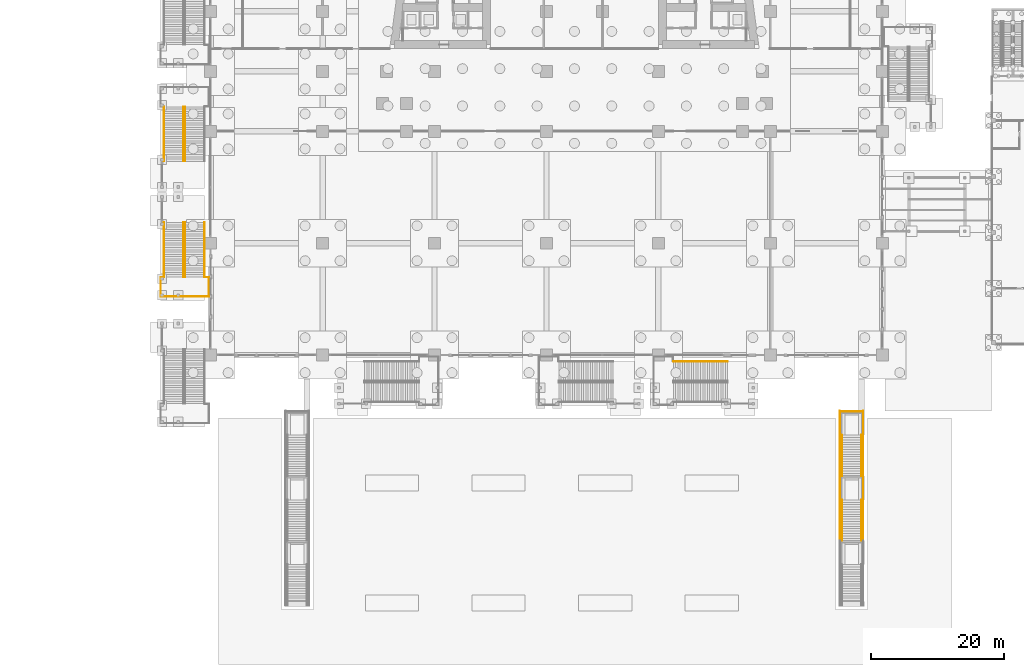
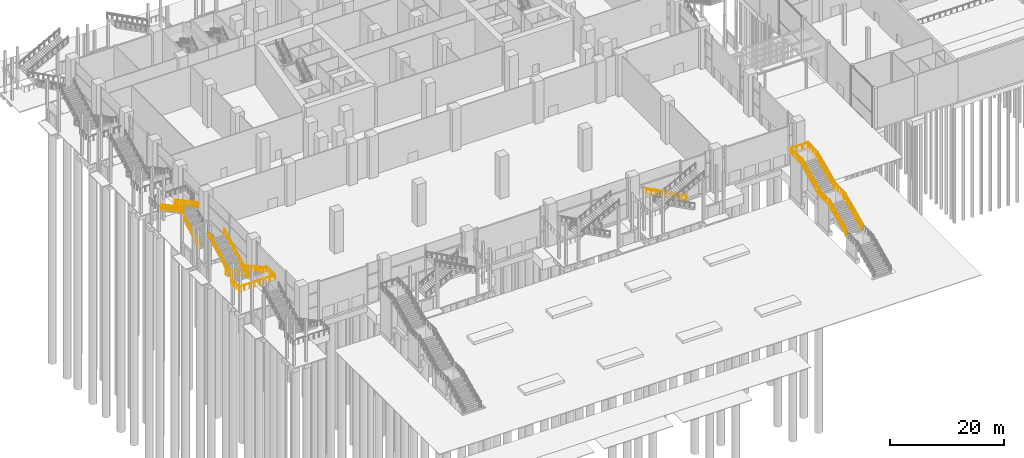
# One storey, part 58 of 72: 26 railings.
"""IFC4 building model written with IfcOpenShell, lengths in metres."""

from ifc_helpers import new_model, si_unit, direction, frame, origin, origin_2d, place, context, subcontext, project, spatial, circle, extrude, material, type_object, element, save


model = new_model("IFC4")

# Units and contexts
model_context = context("Model", 3, precision=1e-05, world=origin(), true_north=direction((0.0, 1.0)))
body_context = subcontext(model_context, "Body", "Model", "MODEL_VIEW")
ifc_project = project(units=[si_unit("LENGTHUNIT", "METRE"), si_unit("AREAUNIT", "SQUARE_METRE"), si_unit("VOLUMEUNIT", "CUBIC_METRE"), si_unit("PLANEANGLEUNIT", "RADIAN"), si_unit("MASSUNIT", "GRAM", prefix="KILO")], contexts=[model_context])

# Site, building, storey
site_placement = place(None, origin())
site = spatial("IfcSite", under=ifc_project, at=site_placement, CompositionType="ELEMENT")
building_placement = place(site_placement, origin())
building = spatial("IfcBuilding", under=site, at=building_placement, Name="Candeia Pilgrim Tower and Theatre", CompositionType="ELEMENT")
storey_placement = place(building_placement, origin())
storey = spatial("IfcBuildingStorey", under=building, at=storey_placement, Name="L00", CompositionType="ELEMENT", Elevation=0.0)

# Railings
ifc_material_1 = material(Name="Steel S355", Category="steel")
railing_type_1 = type_object("IfcRailingType", Name="Guard 1100 steel balustrade", PredefinedType="GUARDRAIL", material=ifc_material_1)
for number, where, name in (
    (1, (153.25, 36.56005859375, 3.166748046875), "Garden stair E guard 5"),
    (2, (156.75, 36.56005859375, 3.166748046875), "Garden stair E guard 6"),
):
    element("IfcRailing", number, at=place(storey_placement, frame(where)), inside=storey, type_object=railing_type_1, Name=name, PredefinedType="GUARDRAIL", context=body_context, shape_type="SweptSolid", body=[
        extrude(circle(Radius=0.02392578125, at=origin_2d()), frame((0.0, 0.0, 1.076171875), z_axis=(0.0, 0.907468185063, 0.420120807742), x_axis=(-1.0, 0.0, 0.0)), (0.0, 0.0, 1.0), 6.743896484375),
        extrude(circle(Radius=0.02099609375, at=origin_2d()), origin(), (0.0, 0.0, 1.0), 1.052001953125),
        extrude(circle(Radius=0.02099609375, at=origin_2d()), frame((0.0, 1.02001953125, 0.47216796875)), (0.0, 0.0, 1.0), 1.052001953125),
        extrude(circle(Radius=0.02099609375, at=origin_2d()), frame((0.0, 2.0400390625, 0.9443359375)), (0.0, 0.0, 1.0), 1.052001953125),
        extrude(circle(Radius=0.02099609375, at=origin_2d()), frame((0.0, 3.06005859375, 1.41650390625)), (0.0, 0.0, 1.0), 1.052001953125),
        extrude(circle(Radius=0.02099609375, at=origin_2d()), frame((0.0, 4.079833984375, 1.888916015625)), (0.0, 0.0, 1.0), 1.052001953125),
        extrude(circle(Radius=0.02099609375, at=origin_2d()), frame((0.0, 5.099853515625, 2.361083984375)), (0.0, 0.0, 1.0), 1.052001953125),
        extrude(circle(Radius=0.02099609375, at=origin_2d()), frame((0.0, 6.119873046875, 2.833251953125)), (0.0, 0.0, 1.0), 1.052001953125),
    ])
for number, where, name in (
    (3, (153.25, 42.679931640625, 6.0), "Garden stair E guard 7"),
    (4, (156.75, 42.679931640625, 6.0), "Garden stair E guard 8"),
):
    element("IfcRailing", number, at=place(storey_placement, frame(where)), inside=storey, type_object=railing_type_1, Name=name, PredefinedType="GUARDRAIL", context=body_context, shape_type="SweptSolid", body=[
        extrude(circle(Radius=0.02392578125, at=origin_2d()), frame((0.0, 0.0, 1.076171875), z_axis=(0.0, 1.0, 0.0), x_axis=(-1.0, 0.0, 0.0)), (0.0, 0.0, 1.0), 3.60009765625),
        extrude(circle(Radius=0.02099609375, at=origin_2d()), origin(), (0.0, 0.0, 1.0), 1.052001953125),
        extrude(circle(Radius=0.02099609375, at=origin_2d()), frame((0.0, 0.89990234375, 0.0)), (0.0, 0.0, 1.0), 1.052001953125),
        extrude(circle(Radius=0.02099609375, at=origin_2d()), frame((0.0, 1.800048828125, 0.0)), (0.0, 0.0, 1.0), 1.052001953125),
        extrude(circle(Radius=0.02099609375, at=origin_2d()), frame((0.0, 2.7001953125, 0.0)), (0.0, 0.0, 1.0), 1.052001953125),
        extrude(circle(Radius=0.02099609375, at=origin_2d()), frame((0.0, 3.60009765625, 0.0)), (0.0, 0.0, 1.0), 1.052001953125),
    ])
for number, where, name in (
    (5, (153.25, 46.280029296875, 6.166748046875), "Garden stair E guard 9"),
    (6, (156.75, 46.280029296875, 6.166748046875), "Garden stair E guard 10"),
):
    element("IfcRailing", number, at=place(storey_placement, frame(where)), inside=storey, type_object=railing_type_1, Name=name, PredefinedType="GUARDRAIL", context=body_context, shape_type="SweptSolid", body=[
        extrude(circle(Radius=0.02392578125, at=origin_2d()), frame((0.0, 0.0, 1.076171875), z_axis=(0.0, 0.907468185063, 0.420120807742), x_axis=(-1.0, 0.0, 0.0)), (0.0, 0.0, 1.0), 6.743896484375),
        extrude(circle(Radius=0.02099609375, at=origin_2d()), origin(), (0.0, 0.0, 1.0), 1.052001953125),
        extrude(circle(Radius=0.02099609375, at=origin_2d()), frame((0.0, 1.02001953125, 0.47216796875)), (0.0, 0.0, 1.0), 1.052001953125),
        extrude(circle(Radius=0.02099609375, at=origin_2d()), frame((0.0, 2.0400390625, 0.9443359375)), (0.0, 0.0, 1.0), 1.052001953125),
        extrude(circle(Radius=0.02099609375, at=origin_2d()), frame((0.0, 3.06005859375, 1.41650390625)), (0.0, 0.0, 1.0), 1.052001953125),
        extrude(circle(Radius=0.02099609375, at=origin_2d()), frame((0.0, 4.079833984375, 1.888916015625)), (0.0, 0.0, 1.0), 1.052001953125),
        extrude(circle(Radius=0.02099609375, at=origin_2d()), frame((0.0, 5.099853515625, 2.361083984375)), (0.0, 0.0, 1.0), 1.052001953125),
        extrude(circle(Radius=0.02099609375, at=origin_2d()), frame((0.0, 6.119873046875, 2.833251953125)), (0.0, 0.0, 1.0), 1.052001953125),
    ])
for number, where, name in (
    (7, (153.25, 52.39990234375, 9.0), "Garden stair E guard 11"),
    (8, (156.75, 52.39990234375, 9.0), "Garden stair E guard 12"),
):
    element("IfcRailing", number, at=place(storey_placement, frame(where)), inside=storey, type_object=railing_type_1, Name=name, PredefinedType="GUARDRAIL", context=body_context, shape_type="SweptSolid", body=[
        extrude(circle(Radius=0.02392578125, at=origin_2d()), frame((0.0, 0.0, 1.076171875), z_axis=(0.0, 1.0, 0.0), x_axis=(-1.0, 0.0, 0.0)), (0.0, 0.0, 1.0), 3.60009765625),
        extrude(circle(Radius=0.02099609375, at=origin_2d()), origin(), (0.0, 0.0, 1.0), 1.052001953125),
        extrude(circle(Radius=0.02099609375, at=origin_2d()), frame((0.0, 0.89990234375, 0.0)), (0.0, 0.0, 1.0), 1.052001953125),
        extrude(circle(Radius=0.02099609375, at=origin_2d()), frame((0.0, 1.800048828125, 0.0)), (0.0, 0.0, 1.0), 1.052001953125),
        extrude(circle(Radius=0.02099609375, at=origin_2d()), frame((0.0, 2.7001953125, 0.0)), (0.0, 0.0, 1.0), 1.052001953125),
        extrude(circle(Radius=0.02099609375, at=origin_2d()), frame((0.0, 3.60009765625, 0.0)), (0.0, 0.0, 1.0), 1.052001953125),
    ])
railing_1_placement = place(storey_placement, frame((153.25, 55.949951171875, 9.0)))
element("IfcRailing", 9, at=railing_1_placement, inside=storey, type_object=railing_type_1, Name="Garden stair E guard 13", PredefinedType="GUARDRAIL", context=body_context, shape_type="SweptSolid", body=[
    extrude(circle(Radius=0.02392578125, at=origin_2d()), frame((0.0, 0.0, 1.076171875), z_axis=(1.0, 0.0, 0.0), x_axis=(0.0, 1.0, 0.0)), (0.0, 0.0, 1.0), 3.5),
    extrude(circle(Radius=0.02099609375, at=origin_2d()), origin(), (0.0, 0.0, 1.0), 1.052001953125),
    extrude(circle(Radius=0.02099609375, at=origin_2d()), frame((1.166748046875, 0.0, 0.0)), (0.0, 0.0, 1.0), 1.052001953125),
    extrude(circle(Radius=0.02099609375, at=origin_2d()), frame((2.333251953125, 0.0, 0.0)), (0.0, 0.0, 1.0), 1.052001953125),
    extrude(circle(Radius=0.02099609375, at=origin_2d()), frame((3.5, 0.0, 0.0)), (0.0, 0.0, 1.0), 1.052001953125),
])
railing_type_2 = type_object("IfcRailingType", Name="Handrail 900 steel", PredefinedType="HANDRAIL", material=ifc_material_1)
for number, where, name in (
    (10, (153.550048828125, 36.56005859375, 3.166748046875), "Garden stair E handrail 3"),
    (11, (156.449951171875, 36.56005859375, 3.166748046875), "Garden stair E handrail 4"),
    (12, (153.550048828125, 46.280029296875, 6.166748046875), "Garden stair E handrail 5"),
    (13, (156.449951171875, 46.280029296875, 6.166748046875), "Garden stair E handrail 6"),
):
    element("IfcRailing", number, at=place(storey_placement, frame(where)), inside=storey, type_object=railing_type_2, Name=name, PredefinedType="HANDRAIL", context=body_context, shape_type="SweptSolid", body=[
        extrude(circle(Radius=0.02392578125, at=origin_2d()), frame((0.0, 0.0, 0.8759765625), z_axis=(0.0, 0.907468185063, 0.420120807742), x_axis=(-1.0, 0.0, 0.0)), (0.0, 0.0, 1.0), 6.743896484375),
        extrude(circle(Radius=0.02099609375, at=origin_2d()), origin(), (0.0, 0.0, 1.0), 0.851806640625),
        extrude(circle(Radius=0.02099609375, at=origin_2d()), frame((0.0, 1.02001953125, 0.47216796875)), (0.0, 0.0, 1.0), 0.851806640625),
        extrude(circle(Radius=0.02099609375, at=origin_2d()), frame((0.0, 2.0400390625, 0.9443359375)), (0.0, 0.0, 1.0), 0.851806640625),
        extrude(circle(Radius=0.02099609375, at=origin_2d()), frame((0.0, 3.06005859375, 1.41650390625)), (0.0, 0.0, 1.0), 0.851806640625),
        extrude(circle(Radius=0.02099609375, at=origin_2d()), frame((0.0, 4.079833984375, 1.888916015625)), (0.0, 0.0, 1.0), 0.851806640625),
        extrude(circle(Radius=0.02099609375, at=origin_2d()), frame((0.0, 5.099853515625, 2.361083984375)), (0.0, 0.0, 1.0), 0.851806640625),
        extrude(circle(Radius=0.02099609375, at=origin_2d()), frame((0.0, 6.119873046875, 2.833251953125)), (0.0, 0.0, 1.0), 0.851806640625),
    ])
ifc_material_2 = material(Name="Stainless steel balustrade", Category="steel")
railing_type_3 = type_object("IfcRailingType", Name="RL-GUARD-1100", PredefinedType="GUARDRAIL", material=ifc_material_2)
railing_2_placement = place(storey_placement, frame((54.949951171875, 84.300048828125, 0.179931640625)))
element("IfcRailing", 14, at=railing_2_placement, inside=storey, type_object=railing_type_3, Name="L00 ES11 stair guard 1", PredefinedType="GUARDRAIL", context=body_context, shape_type="SweptSolid", body=[
    extrude(circle(Radius=0.02392578125, at=origin_2d()), frame((0.0, 0.0, 1.076171875), z_axis=(0.0, -0.883788559524, 0.467886505528), x_axis=(1.0, 0.0, 0.0)), (0.0, 0.0, 1.0), 9.233154296875),
    extrude(circle(Radius=0.02099609375, at=origin_2d()), origin(), (0.0, 0.0, 1.0), 1.052001953125),
    extrude(circle(Radius=0.02099609375, at=origin_2d()), frame((0.0, -1.02001953125, 0.5400390625)), (0.0, 0.0, 1.0), 1.052001953125),
    extrude(circle(Radius=0.02099609375, at=origin_2d()), frame((0.0, -2.0400390625, 1.080078125)), (0.0, 0.0, 1.0), 1.052001953125),
    extrude(circle(Radius=0.02099609375, at=origin_2d()), frame((0.0, -3.06005859375, 1.6201171875)), (0.0, 0.0, 1.0), 1.052001953125),
    extrude(circle(Radius=0.02099609375, at=origin_2d()), frame((0.0, -4.080078125, 2.16015625)), (0.0, 0.0, 1.0), 1.052001953125),
    extrude(circle(Radius=0.02099609375, at=origin_2d()), frame((0.0, -5.10009765625, 2.699951171875)), (0.0, 0.0, 1.0), 1.052001953125),
    extrude(circle(Radius=0.02099609375, at=origin_2d()), frame((0.0, -6.1201171875, 3.239990234375)), (0.0, 0.0, 1.0), 1.052001953125),
    extrude(circle(Radius=0.02099609375, at=origin_2d()), frame((0.0, -7.14013671875, 3.780029296875)), (0.0, 0.0, 1.0), 1.052001953125),
    extrude(circle(Radius=0.02099609375, at=origin_2d()), frame((0.0, -8.16015625, 4.320068359375)), (0.0, 0.0, 1.0), 1.052001953125),
])
railing_3_placement = place(storey_placement, frame((54.699951171875, 76.139892578125, 4.679931640625)))
element("IfcRailing", 15, at=railing_3_placement, inside=storey, type_object=railing_type_3, Name="L00 ES11 stair guard 2", PredefinedType="GUARDRAIL", context=body_context, shape_type="SweptSolid", body=[
    extrude(circle(Radius=0.02392578125, at=origin_2d()), frame((0.0, 0.0, 1.076171875), z_axis=(0.0, 0.883788559524, 0.467886505528), x_axis=(-1.0, 0.0, 0.0)), (0.0, 0.0, 1.0), 9.233154296875),
    extrude(circle(Radius=0.02099609375, at=origin_2d()), origin(), (0.0, 0.0, 1.0), 1.052001953125),
    extrude(circle(Radius=0.02099609375, at=origin_2d()), frame((0.0, 1.02001953125, 0.5400390625)), (0.0, 0.0, 1.0), 1.052001953125),
    extrude(circle(Radius=0.02099609375, at=origin_2d()), frame((0.0, 2.0400390625, 1.080078125)), (0.0, 0.0, 1.0), 1.052001953125),
    extrude(circle(Radius=0.02099609375, at=origin_2d()), frame((0.0, 3.06005859375, 1.6201171875)), (0.0, 0.0, 1.0), 1.052001953125),
    extrude(circle(Radius=0.02099609375, at=origin_2d()), frame((0.0, 4.080078125, 2.16015625)), (0.0, 0.0, 1.0), 1.052001953125),
    extrude(circle(Radius=0.02099609375, at=origin_2d()), frame((0.0, 5.10009765625, 2.699951171875)), (0.0, 0.0, 1.0), 1.052001953125),
    extrude(circle(Radius=0.02099609375, at=origin_2d()), frame((0.0, 6.1201171875, 3.239990234375)), (0.0, 0.0, 1.0), 1.052001953125),
    extrude(circle(Radius=0.02099609375, at=origin_2d()), frame((0.0, 7.14013671875, 3.780029296875)), (0.0, 0.0, 1.0), 1.052001953125),
    extrude(circle(Radius=0.02099609375, at=origin_2d()), frame((0.0, 8.16015625, 4.320068359375)), (0.0, 0.0, 1.0), 1.052001953125),
])
railing_4_placement = place(storey_placement, frame((57.89990234375, 84.300048828125, 0.179931640625)))
element("IfcRailing", 16, at=railing_4_placement, inside=storey, type_object=railing_type_3, Name="L00 ES11 stair guard 3", PredefinedType="GUARDRAIL", context=body_context, shape_type="SweptSolid", body=[
    extrude(circle(Radius=0.02392578125, at=origin_2d()), frame((0.0, 0.0, 1.076171875), z_axis=(0.0, -0.883788559524, 0.467886505528), x_axis=(1.0, 0.0, 0.0)), (0.0, 0.0, 1.0), 9.233154296875),
    extrude(circle(Radius=0.02099609375, at=origin_2d()), origin(), (0.0, 0.0, 1.0), 1.052001953125),
    extrude(circle(Radius=0.02099609375, at=origin_2d()), frame((0.0, -1.02001953125, 0.5400390625)), (0.0, 0.0, 1.0), 1.052001953125),
    extrude(circle(Radius=0.02099609375, at=origin_2d()), frame((0.0, -2.0400390625, 1.080078125)), (0.0, 0.0, 1.0), 1.052001953125),
    extrude(circle(Radius=0.02099609375, at=origin_2d()), frame((0.0, -3.06005859375, 1.6201171875)), (0.0, 0.0, 1.0), 1.052001953125),
    extrude(circle(Radius=0.02099609375, at=origin_2d()), frame((0.0, -4.080078125, 2.16015625)), (0.0, 0.0, 1.0), 1.052001953125),
    extrude(circle(Radius=0.02099609375, at=origin_2d()), frame((0.0, -5.10009765625, 2.699951171875)), (0.0, 0.0, 1.0), 1.052001953125),
    extrude(circle(Radius=0.02099609375, at=origin_2d()), frame((0.0, -6.1201171875, 3.239990234375)), (0.0, 0.0, 1.0), 1.052001953125),
    extrude(circle(Radius=0.02099609375, at=origin_2d()), frame((0.0, -7.14013671875, 3.780029296875)), (0.0, 0.0, 1.0), 1.052001953125),
    extrude(circle(Radius=0.02099609375, at=origin_2d()), frame((0.0, -8.16015625, 4.320068359375)), (0.0, 0.0, 1.0), 1.052001953125),
])
railing_5_placement = place(storey_placement, frame((51.75, 76.139892578125, 4.679931640625)))
element("IfcRailing", 17, at=railing_5_placement, inside=storey, type_object=railing_type_3, Name="L00 ES11 stair guard 4", PredefinedType="GUARDRAIL", context=body_context, shape_type="SweptSolid", body=[
    extrude(circle(Radius=0.02392578125, at=origin_2d()), frame((0.0, 0.0, 1.076171875), z_axis=(0.0, 0.883788559524, 0.467886505528), x_axis=(-1.0, 0.0, 0.0)), (0.0, 0.0, 1.0), 9.233154296875),
    extrude(circle(Radius=0.02099609375, at=origin_2d()), origin(), (0.0, 0.0, 1.0), 1.052001953125),
    extrude(circle(Radius=0.02099609375, at=origin_2d()), frame((0.0, 1.02001953125, 0.5400390625)), (0.0, 0.0, 1.0), 1.052001953125),
    extrude(circle(Radius=0.02099609375, at=origin_2d()), frame((0.0, 2.0400390625, 1.080078125)), (0.0, 0.0, 1.0), 1.052001953125),
    extrude(circle(Radius=0.02099609375, at=origin_2d()), frame((0.0, 3.06005859375, 1.6201171875)), (0.0, 0.0, 1.0), 1.052001953125),
    extrude(circle(Radius=0.02099609375, at=origin_2d()), frame((0.0, 4.080078125, 2.16015625)), (0.0, 0.0, 1.0), 1.052001953125),
    extrude(circle(Radius=0.02099609375, at=origin_2d()), frame((0.0, 5.10009765625, 2.699951171875)), (0.0, 0.0, 1.0), 1.052001953125),
    extrude(circle(Radius=0.02099609375, at=origin_2d()), frame((0.0, 6.1201171875, 3.239990234375)), (0.0, 0.0, 1.0), 1.052001953125),
    extrude(circle(Radius=0.02099609375, at=origin_2d()), frame((0.0, 7.14013671875, 3.780029296875)), (0.0, 0.0, 1.0), 1.052001953125),
    extrude(circle(Radius=0.02099609375, at=origin_2d()), frame((0.0, 8.16015625, 4.320068359375)), (0.0, 0.0, 1.0), 1.052001953125),
])
railing_6_placement = place(storey_placement, frame((57.89990234375, 76.090087890625, 4.5)))
element("IfcRailing", 18, at=railing_6_placement, inside=storey, type_object=railing_type_3, Name="L00 ES11 stair guard 5", PredefinedType="GUARDRAIL", context=body_context, shape_type="SweptSolid", body=[
    extrude(circle(Radius=0.02392578125, at=origin_2d()), frame((0.0, 0.0, 1.076171875), z_axis=(1.0, 0.0, 0.0), x_axis=(0.0, 1.0, 0.0)), (0.0, 0.0, 1.0), 0.650146484375),
    extrude(circle(Radius=0.02392578125, at=origin_2d()), frame((0.650146484375, 0.0, 1.076171875), z_axis=(0.0, -1.0, 0.0), x_axis=(1.0, 0.0, 0.0)), (0.0, 0.0, 1.0), 2.900146484375),
    extrude(circle(Radius=0.02392578125, at=origin_2d()), frame((0.650146484375, -2.900146484375, 1.076171875), z_axis=(-1.0, 0.0, 0.0), x_axis=(0.0, -1.0, 0.0)), (0.0, 0.0, 1.0), 7.25),
    extrude(circle(Radius=0.02392578125, at=origin_2d()), frame((-6.599853515625, -2.900146484375, 1.076171875), z_axis=(0.0, 1.0, 0.0), x_axis=(-1.0, 0.0, 0.0)), (0.0, 0.0, 1.0), 2.900146484375),
    extrude(circle(Radius=0.02392578125, at=origin_2d()), frame((-6.599853515625, 0.0, 1.076171875), z_axis=(1.0, 0.0, 0.0), x_axis=(0.0, 1.0, 0.0)), (0.0, 0.0, 1.0), 0.449951171875),
    extrude(circle(Radius=0.02099609375, at=origin_2d()), origin(), (0.0, 0.0, 1.0), 1.052001953125),
    extrude(circle(Radius=0.02099609375, at=origin_2d()), frame((0.650146484375, 0.0, 0.0)), (0.0, 0.0, 1.0), 1.052001953125),
    extrude(circle(Radius=0.02099609375, at=origin_2d()), frame((0.650146484375, -0.966796875, 0.0)), (0.0, 0.0, 1.0), 1.052001953125),
    extrude(circle(Radius=0.02099609375, at=origin_2d()), frame((0.650146484375, -1.933349609375, 0.0)), (0.0, 0.0, 1.0), 1.052001953125),
    extrude(circle(Radius=0.02099609375, at=origin_2d()), frame((0.650146484375, -2.900146484375, 0.0)), (0.0, 0.0, 1.0), 1.052001953125),
    extrude(circle(Radius=0.02099609375, at=origin_2d()), frame((-0.385498046875, -2.900146484375, 0.0)), (0.0, 0.0, 1.0), 1.052001953125),
    extrude(circle(Radius=0.02099609375, at=origin_2d()), frame((-1.42138671875, -2.900146484375, 0.0)), (0.0, 0.0, 1.0), 1.052001953125),
    extrude(circle(Radius=0.02099609375, at=origin_2d()), frame((-2.45703125, -2.900146484375, 0.0)), (0.0, 0.0, 1.0), 1.052001953125),
    extrude(circle(Radius=0.02099609375, at=origin_2d()), frame((-3.49267578125, -2.900146484375, 0.0)), (0.0, 0.0, 1.0), 1.052001953125),
    extrude(circle(Radius=0.02099609375, at=origin_2d()), frame((-4.5283203125, -2.900146484375, 0.0)), (0.0, 0.0, 1.0), 1.052001953125),
    extrude(circle(Radius=0.02099609375, at=origin_2d()), frame((-5.564208984375, -2.900146484375, 0.0)), (0.0, 0.0, 1.0), 1.052001953125),
    extrude(circle(Radius=0.02099609375, at=origin_2d()), frame((-6.599853515625, -2.900146484375, 0.0)), (0.0, 0.0, 1.0), 1.052001953125),
    extrude(circle(Radius=0.02099609375, at=origin_2d()), frame((-6.599853515625, -1.933349609375, 0.0)), (0.0, 0.0, 1.0), 1.052001953125),
    extrude(circle(Radius=0.02099609375, at=origin_2d()), frame((-6.599853515625, -0.966796875, 0.0)), (0.0, 0.0, 1.0), 1.052001953125),
    extrude(circle(Radius=0.02099609375, at=origin_2d()), frame((-6.599853515625, 0.0, 0.0)), (0.0, 0.0, 1.0), 1.052001953125),
    extrude(circle(Radius=0.02099609375, at=origin_2d()), frame((-6.14990234375, 0.0, 0.0)), (0.0, 0.0, 1.0), 1.052001953125),
])
railing_7_placement = place(storey_placement, frame((54.949951171875, 93.5, 0.179931640625)))
element("IfcRailing", 19, at=railing_7_placement, inside=storey, type_object=railing_type_3, Name="L00 ES12 stair guard 1", PredefinedType="GUARDRAIL", context=body_context, shape_type="SweptSolid", body=[
    extrude(circle(Radius=0.02392578125, at=origin_2d()), frame((0.0, 0.0, 1.076171875), z_axis=(0.0, 0.883782770755, 0.467897439742), x_axis=(-1.0, 0.0, 0.0)), (0.0, 0.0, 1.0), 9.23291015625),
    extrude(circle(Radius=0.02099609375, at=origin_2d()), origin(), (0.0, 0.0, 1.0), 1.052001953125),
    extrude(circle(Radius=0.02099609375, at=origin_2d()), frame((0.0, 1.02001953125, 0.5400390625)), (0.0, 0.0, 1.0), 1.052001953125),
    extrude(circle(Radius=0.02099609375, at=origin_2d()), frame((0.0, 2.0400390625, 1.080078125)), (0.0, 0.0, 1.0), 1.052001953125),
    extrude(circle(Radius=0.02099609375, at=origin_2d()), frame((0.0, 3.06005859375, 1.6201171875)), (0.0, 0.0, 1.0), 1.052001953125),
    extrude(circle(Radius=0.02099609375, at=origin_2d()), frame((0.0, 4.080078125, 2.16015625)), (0.0, 0.0, 1.0), 1.052001953125),
    extrude(circle(Radius=0.02099609375, at=origin_2d()), frame((0.0, 5.099853515625, 2.699951171875)), (0.0, 0.0, 1.0), 1.052001953125),
    extrude(circle(Radius=0.02099609375, at=origin_2d()), frame((0.0, 6.119873046875, 3.239990234375)), (0.0, 0.0, 1.0), 1.052001953125),
    extrude(circle(Radius=0.02099609375, at=origin_2d()), frame((0.0, 7.139892578125, 3.780029296875)), (0.0, 0.0, 1.0), 1.052001953125),
    extrude(circle(Radius=0.02099609375, at=origin_2d()), frame((0.0, 8.159912109375, 4.320068359375)), (0.0, 0.0, 1.0), 1.052001953125),
])
for number, where, name in (
    (20, (54.699951171875, 101.659912109375, 4.679931640625), "L00 ES12 stair guard 2"),
    (21, (51.75, 101.659912109375, 4.679931640625), "L00 ES12 stair guard 4"),
):
    element("IfcRailing", number, at=place(storey_placement, frame(where)), inside=storey, type_object=railing_type_3, Name=name, PredefinedType="GUARDRAIL", context=body_context, shape_type="SweptSolid", body=[
        extrude(circle(Radius=0.02392578125, at=origin_2d()), frame((0.0, 0.0, 1.076171875), z_axis=(0.0, -0.883782770755, 0.467897439742), x_axis=(1.0, 0.0, 0.0)), (0.0, 0.0, 1.0), 9.23291015625),
        extrude(circle(Radius=0.02099609375, at=origin_2d()), origin(), (0.0, 0.0, 1.0), 1.052001953125),
        extrude(circle(Radius=0.02099609375, at=origin_2d()), frame((0.0, -1.02001953125, 0.5400390625)), (0.0, 0.0, 1.0), 1.052001953125),
        extrude(circle(Radius=0.02099609375, at=origin_2d()), frame((0.0, -2.0400390625, 1.080078125)), (0.0, 0.0, 1.0), 1.052001953125),
        extrude(circle(Radius=0.02099609375, at=origin_2d()), frame((0.0, -3.06005859375, 1.6201171875)), (0.0, 0.0, 1.0), 1.052001953125),
        extrude(circle(Radius=0.02099609375, at=origin_2d()), frame((0.0, -4.080078125, 2.16015625)), (0.0, 0.0, 1.0), 1.052001953125),
        extrude(circle(Radius=0.02099609375, at=origin_2d()), frame((0.0, -5.099853515625, 2.699951171875)), (0.0, 0.0, 1.0), 1.052001953125),
        extrude(circle(Radius=0.02099609375, at=origin_2d()), frame((0.0, -6.119873046875, 3.239990234375)), (0.0, 0.0, 1.0), 1.052001953125),
        extrude(circle(Radius=0.02099609375, at=origin_2d()), frame((0.0, -7.139892578125, 3.780029296875)), (0.0, 0.0, 1.0), 1.052001953125),
        extrude(circle(Radius=0.02099609375, at=origin_2d()), frame((0.0, -8.159912109375, 4.320068359375)), (0.0, 0.0, 1.0), 1.052001953125),
    ])
railing_8_placement = place(storey_placement, frame((136.39990234375, 63.5, 0.179931640625)))
element("IfcRailing", 22, at=railing_8_placement, inside=storey, type_object=railing_type_3, Name="L00 ES16 stair guard 3", PredefinedType="GUARDRAIL", context=body_context, shape_type="SweptSolid", body=[
    extrude(circle(Radius=0.02392578125, at=origin_2d()), frame((0.0, 0.0, 1.076171875), z_axis=(-0.883782770755, 0.0, 0.467897439742), x_axis=(0.0, -1.0, 0.0)), (0.0, 0.0, 1.0), 9.23291015625),
    extrude(circle(Radius=0.02099609375, at=origin_2d()), origin(), (0.0, 0.0, 1.0), 1.052001953125),
    extrude(circle(Radius=0.02099609375, at=origin_2d()), frame((-1.02001953125, 0.0, 0.5400390625)), (0.0, 0.0, 1.0), 1.052001953125),
    extrude(circle(Radius=0.02099609375, at=origin_2d()), frame((-2.0400390625, 0.0, 1.080078125)), (0.0, 0.0, 1.0), 1.052001953125),
    extrude(circle(Radius=0.02099609375, at=origin_2d()), frame((-3.06005859375, 0.0, 1.6201171875)), (0.0, 0.0, 1.0), 1.052001953125),
    extrude(circle(Radius=0.02099609375, at=origin_2d()), frame((-4.080078125, 0.0, 2.16015625)), (0.0, 0.0, 1.0), 1.052001953125),
    extrude(circle(Radius=0.02099609375, at=origin_2d()), frame((-5.099853515625, 0.0, 2.699951171875)), (0.0, 0.0, 1.0), 1.052001953125),
    extrude(circle(Radius=0.02099609375, at=origin_2d()), frame((-6.119873046875, 0.0, 3.239990234375)), (0.0, 0.0, 1.0), 1.052001953125),
    extrude(circle(Radius=0.02099609375, at=origin_2d()), frame((-7.139892578125, 0.0, 3.780029296875)), (0.0, 0.0, 1.0), 1.052001953125),
    extrude(circle(Radius=0.02099609375, at=origin_2d()), frame((-8.159912109375, 0.0, 4.320068359375)), (0.0, 0.0, 1.0), 1.052001953125),
])
ifc_material_3 = material(Name="Stainless steel handrail", Category="steel")
railing_type_4 = type_object("IfcRailingType", Name="RL-HANDRAIL-900", PredefinedType="HANDRAIL", material=ifc_material_3)
railing_9_placement = place(storey_placement, frame((57.85009765625, 84.300048828125, 0.179931640625)))
element("IfcRailing", 23, at=railing_9_placement, inside=storey, type_object=railing_type_4, Name="L00 ES11 stair handrail 1", PredefinedType="HANDRAIL", context=body_context, shape_type="SweptSolid", body=[
    extrude(circle(Radius=0.02392578125, at=origin_2d()), frame((0.0, 0.0, 0.8759765625), z_axis=(0.0, -0.883788559524, 0.467886505528), x_axis=(1.0, 0.0, 0.0)), (0.0, 0.0, 1.0), 9.233154296875),
    extrude(circle(Radius=0.02099609375, at=origin_2d()), origin(), (0.0, 0.0, 1.0), 0.851806640625),
    extrude(circle(Radius=0.02099609375, at=origin_2d()), frame((0.0, -1.02001953125, 0.5400390625)), (0.0, 0.0, 1.0), 0.851806640625),
    extrude(circle(Radius=0.02099609375, at=origin_2d()), frame((0.0, -2.0400390625, 1.080078125)), (0.0, 0.0, 1.0), 0.851806640625),
    extrude(circle(Radius=0.02099609375, at=origin_2d()), frame((0.0, -3.06005859375, 1.6201171875)), (0.0, 0.0, 1.0), 0.851806640625),
    extrude(circle(Radius=0.02099609375, at=origin_2d()), frame((0.0, -4.080078125, 2.16015625)), (0.0, 0.0, 1.0), 0.851806640625),
    extrude(circle(Radius=0.02099609375, at=origin_2d()), frame((0.0, -5.10009765625, 2.699951171875)), (0.0, 0.0, 1.0), 0.851806640625),
    extrude(circle(Radius=0.02099609375, at=origin_2d()), frame((0.0, -6.1201171875, 3.239990234375)), (0.0, 0.0, 1.0), 0.851806640625),
    extrude(circle(Radius=0.02099609375, at=origin_2d()), frame((0.0, -7.14013671875, 3.780029296875)), (0.0, 0.0, 1.0), 0.851806640625),
    extrude(circle(Radius=0.02099609375, at=origin_2d()), frame((0.0, -8.16015625, 4.320068359375)), (0.0, 0.0, 1.0), 0.851806640625),
])
railing_10_placement = place(storey_placement, frame((51.800048828125, 76.139892578125, 4.679931640625)))
element("IfcRailing", 24, at=railing_10_placement, inside=storey, type_object=railing_type_4, Name="L00 ES11 stair handrail 2", PredefinedType="HANDRAIL", context=body_context, shape_type="SweptSolid", body=[
    extrude(circle(Radius=0.02392578125, at=origin_2d()), frame((0.0, 0.0, 0.8759765625), z_axis=(0.0, 0.883788559524, 0.467886505528), x_axis=(-1.0, 0.0, 0.0)), (0.0, 0.0, 1.0), 9.233154296875),
    extrude(circle(Radius=0.02099609375, at=origin_2d()), origin(), (0.0, 0.0, 1.0), 0.851806640625),
    extrude(circle(Radius=0.02099609375, at=origin_2d()), frame((0.0, 1.02001953125, 0.5400390625)), (0.0, 0.0, 1.0), 0.851806640625),
    extrude(circle(Radius=0.02099609375, at=origin_2d()), frame((0.0, 2.0400390625, 1.080078125)), (0.0, 0.0, 1.0), 0.851806640625),
    extrude(circle(Radius=0.02099609375, at=origin_2d()), frame((0.0, 3.06005859375, 1.6201171875)), (0.0, 0.0, 1.0), 0.851806640625),
    extrude(circle(Radius=0.02099609375, at=origin_2d()), frame((0.0, 4.080078125, 2.16015625)), (0.0, 0.0, 1.0), 0.851806640625),
    extrude(circle(Radius=0.02099609375, at=origin_2d()), frame((0.0, 5.10009765625, 2.699951171875)), (0.0, 0.0, 1.0), 0.851806640625),
    extrude(circle(Radius=0.02099609375, at=origin_2d()), frame((0.0, 6.1201171875, 3.239990234375)), (0.0, 0.0, 1.0), 0.851806640625),
    extrude(circle(Radius=0.02099609375, at=origin_2d()), frame((0.0, 7.14013671875, 3.780029296875)), (0.0, 0.0, 1.0), 0.851806640625),
    extrude(circle(Radius=0.02099609375, at=origin_2d()), frame((0.0, 8.16015625, 4.320068359375)), (0.0, 0.0, 1.0), 0.851806640625),
])
railing_11_placement = place(storey_placement, frame((51.800048828125, 101.659912109375, 4.679931640625)))
element("IfcRailing", 25, at=railing_11_placement, inside=storey, type_object=railing_type_4, Name="L00 ES12 stair handrail 2", PredefinedType="HANDRAIL", context=body_context, shape_type="SweptSolid", body=[
    extrude(circle(Radius=0.02392578125, at=origin_2d()), frame((0.0, 0.0, 0.8759765625), z_axis=(0.0, -0.883782770755, 0.467897439742), x_axis=(1.0, 0.0, 0.0)), (0.0, 0.0, 1.0), 9.23291015625),
    extrude(circle(Radius=0.02099609375, at=origin_2d()), origin(), (0.0, 0.0, 1.0), 0.851806640625),
    extrude(circle(Radius=0.02099609375, at=origin_2d()), frame((0.0, -1.02001953125, 0.5400390625)), (0.0, 0.0, 1.0), 0.851806640625),
    extrude(circle(Radius=0.02099609375, at=origin_2d()), frame((0.0, -2.0400390625, 1.080078125)), (0.0, 0.0, 1.0), 0.851806640625),
    extrude(circle(Radius=0.02099609375, at=origin_2d()), frame((0.0, -3.06005859375, 1.6201171875)), (0.0, 0.0, 1.0), 0.851806640625),
    extrude(circle(Radius=0.02099609375, at=origin_2d()), frame((0.0, -4.080078125, 2.16015625)), (0.0, 0.0, 1.0), 0.851806640625),
    extrude(circle(Radius=0.02099609375, at=origin_2d()), frame((0.0, -5.099853515625, 2.699951171875)), (0.0, 0.0, 1.0), 0.851806640625),
    extrude(circle(Radius=0.02099609375, at=origin_2d()), frame((0.0, -6.119873046875, 3.239990234375)), (0.0, 0.0, 1.0), 0.851806640625),
    extrude(circle(Radius=0.02099609375, at=origin_2d()), frame((0.0, -7.139892578125, 3.780029296875)), (0.0, 0.0, 1.0), 0.851806640625),
    extrude(circle(Radius=0.02099609375, at=origin_2d()), frame((0.0, -8.159912109375, 4.320068359375)), (0.0, 0.0, 1.0), 0.851806640625),
])
railing_12_placement = place(storey_placement, frame((136.39990234375, 63.449951171875, 0.179931640625)))
element("IfcRailing", 26, at=railing_12_placement, inside=storey, type_object=railing_type_4, Name="L00 ES16 stair handrail 1", PredefinedType="HANDRAIL", context=body_context, shape_type="SweptSolid", body=[
    extrude(circle(Radius=0.02392578125, at=origin_2d()), frame((0.0, 0.0, 0.8759765625), z_axis=(-0.883782770755, 0.0, 0.467897439742), x_axis=(0.0, -1.0, 0.0)), (0.0, 0.0, 1.0), 9.23291015625),
    extrude(circle(Radius=0.02099609375, at=origin_2d()), origin(), (0.0, 0.0, 1.0), 0.851806640625),
    extrude(circle(Radius=0.02099609375, at=origin_2d()), frame((-1.02001953125, 0.0, 0.5400390625)), (0.0, 0.0, 1.0), 0.851806640625),
    extrude(circle(Radius=0.02099609375, at=origin_2d()), frame((-2.0400390625, 0.0, 1.080078125)), (0.0, 0.0, 1.0), 0.851806640625),
    extrude(circle(Radius=0.02099609375, at=origin_2d()), frame((-3.06005859375, 0.0, 1.6201171875)), (0.0, 0.0, 1.0), 0.851806640625),
    extrude(circle(Radius=0.02099609375, at=origin_2d()), frame((-4.080078125, 0.0, 2.16015625)), (0.0, 0.0, 1.0), 0.851806640625),
    extrude(circle(Radius=0.02099609375, at=origin_2d()), frame((-5.099853515625, 0.0, 2.699951171875)), (0.0, 0.0, 1.0), 0.851806640625),
    extrude(circle(Radius=0.02099609375, at=origin_2d()), frame((-6.119873046875, 0.0, 3.239990234375)), (0.0, 0.0, 1.0), 0.851806640625),
    extrude(circle(Radius=0.02099609375, at=origin_2d()), frame((-7.139892578125, 0.0, 3.780029296875)), (0.0, 0.0, 1.0), 0.851806640625),
    extrude(circle(Radius=0.02099609375, at=origin_2d()), frame((-8.159912109375, 0.0, 4.320068359375)), (0.0, 0.0, 1.0), 0.851806640625),
])

save(model, "model.ifc")
